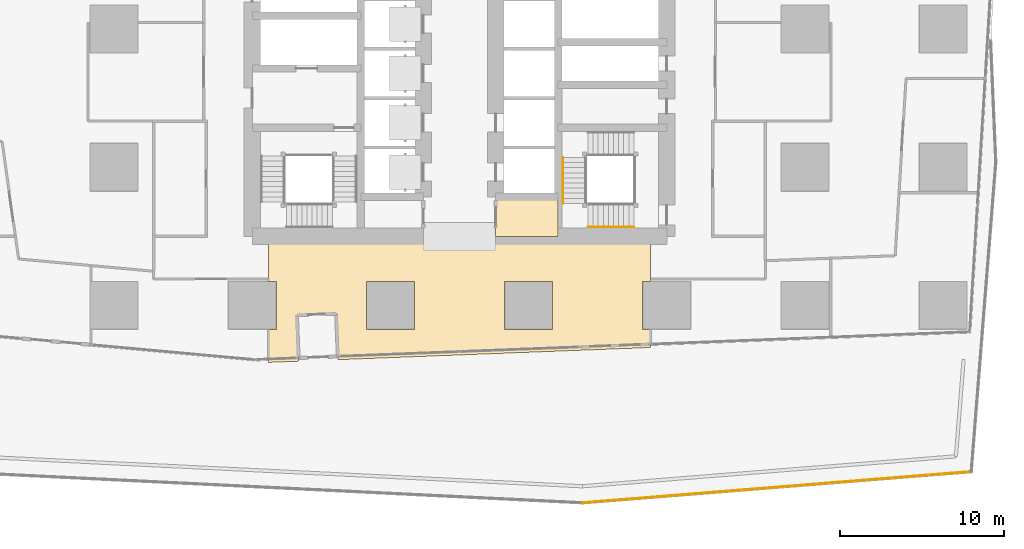
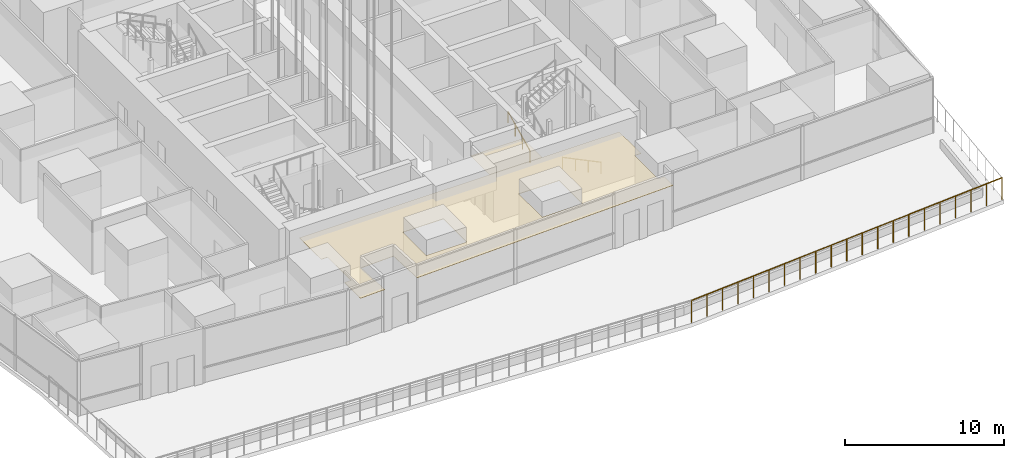
# One storey, part 25 of 44: 3 railings, 2 coverings.
"""IFC4 building model written with IfcOpenShell, lengths in metres."""

from ifc_helpers import new_model, si_unit, direction, frame, origin, origin_2d, place, context, subcontext, project, spatial, polyline, circle, outline, extrude, material, layer, layer_set, type_object, element, save


model = new_model("IFC4")

# Units and contexts
model_context = context("Model", 3, precision=1e-05, world=origin(), true_north=direction((0.0, 1.0)))
body_context = subcontext(model_context, "Body", "Model", "MODEL_VIEW")
ifc_project = project(units=[si_unit("LENGTHUNIT", "METRE"), si_unit("AREAUNIT", "SQUARE_METRE"), si_unit("VOLUMEUNIT", "CUBIC_METRE"), si_unit("PLANEANGLEUNIT", "RADIAN"), si_unit("MASSUNIT", "GRAM", prefix="KILO")], contexts=[model_context])

# Site, building, storey
site_placement = place(None, origin())
site = spatial("IfcSite", under=ifc_project, at=site_placement, CompositionType="ELEMENT")
building_placement = place(site_placement, origin())
building = spatial("IfcBuilding", under=site, at=building_placement, Name="Rekha Terrace Tower", CompositionType="ELEMENT")
storey_placement = place(building_placement, frame((0.0, 0.0, 90.800048828125)))
storey = spatial("IfcBuildingStorey", under=building, at=storey_placement, Name="L22", CompositionType="ELEMENT", Elevation=90.800048828125)

# Coverings
ifc_material_1 = material(Name="Fibre cement board", Category="finish")
ifc_layer_1 = layer(ifc_material_1, 0.014892578125)
ifc_layer_set_1 = layer_set([ifc_layer_1], Name="Fibre cement board")
covering_type_1 = type_object("IfcCoveringType", Name="CL2 moisture-resistant board ceiling", PredefinedType="CEILING", material=ifc_layer_set_1)
covering_1_placement = place(storey_placement, frame((0.0, 0.0, 3.3349609375)))
element("IfcCovering", 1, at=covering_1_placement, inside=storey, type_object=covering_type_1, Name="Ceiling L22-WCA", PredefinedType="CEILING", context=body_context, shape_type="SweptSolid", body=[
    extrude(outline(polyline([(43.800048828125, 23.39990234375), (40.0, 23.39990234375), (40.0, 21.0), (43.800048828125, 21.0), (43.800048828125, 23.39990234375)])), origin(), (0.0, 0.0, 1.0), 0.014892578125),
])
ifc_material_2 = material(Name="Powder-coated aluminium pan", Category="aluminium")
ifc_layer_2 = layer(ifc_material_2, 0.030029296875)
ifc_layer_set_2 = layer_set([ifc_layer_2], Name="Powder-coated aluminium pan")
covering_type_2 = type_object("IfcCoveringType", Name="CL3 300x1200 metal pan ceiling", PredefinedType="CEILING", material=ifc_layer_set_2)
covering_2_placement = place(storey_placement, frame((0.0, 0.0, 3.320068359375)))
element("IfcCovering", 2, at=covering_2_placement, inside=storey, type_object=covering_type_2, Name="Ceiling L22-02", PredefinedType="CEILING", context=body_context, shape_type="SweptSolid", body=[
    extrude(outline(polyline([(26.199951171875, 15.3349609375), (26.199951171875, 13.333984375), (28.01806640625, 13.405029296875), (27.908935546875, 16.202880859375), (30.306884765625, 16.2958984375), (30.416015625, 13.498046875), (49.39990234375, 14.237060546875), (49.39990234375, 15.3349609375), (48.93505859375, 15.3349609375), (48.93505859375, 18.264892578125), (49.39990234375, 18.264892578125), (49.39990234375, 21.0), (26.199951171875, 21.0), (26.199951171875, 18.264892578125), (26.6650390625, 18.264892578125), (26.6650390625, 15.3349609375), (26.199951171875, 15.3349609375)]), holes=[polyline([(43.465087890625, 18.264892578125), (43.465087890625, 15.3349609375), (40.534912109375, 15.3349609375), (40.534912109375, 18.264892578125), (43.465087890625, 18.264892578125)]), polyline([(35.06494140625, 15.3349609375), (32.135009765625, 15.3349609375), (32.135009765625, 18.264892578125), (35.06494140625, 18.264892578125), (35.06494140625, 15.3349609375)])]), origin(), (0.0, 0.0, 1.0), 0.02978515625),
])

# Railings
ifc_material_3 = material(Name="Stainless steel posts and laminated glass infill", Category="steel")
railing_type_1 = type_object("IfcRailingType", Name="GR4 terrace glass guard 1700", PredefinedType="GUARDRAIL", material=ifc_material_3)
railing_1_placement = place(storey_placement, frame((45.286376953125, 4.80029296875, 0.0)))
element("IfcRailing", 3, at=railing_1_placement, inside=storey, type_object=railing_type_1, Name="Terrace guard", PredefinedType="GUARDRAIL", context=body_context, shape_type="SweptSolid", body=[
    extrude(circle(Radius=0.02392578125, at=origin_2d()), frame((0.0, 0.0, 1.67578125), z_axis=(0.996805443082, 0.07986807023, 0.0), x_axis=(-0.07986807023, 0.996805443082, 0.0)), (0.0, 0.0, 1.0), 23.6962890625),
    extrude(circle(Radius=0.02099609375, at=origin_2d()), origin(), (0.0, 0.0, 1.0), 1.65185546875),
    extrude(circle(Radius=0.02099609375, at=origin_2d()), frame((1.18115234375, 0.0947265625, 0.0)), (0.0, 0.0, 1.0), 1.65185546875),
    extrude(circle(Radius=0.02099609375, at=origin_2d()), frame((2.362060546875, 0.189208984375, 0.0)), (0.0, 0.0, 1.0), 1.65185546875),
    extrude(circle(Radius=0.02099609375, at=origin_2d()), frame((3.54296875, 0.283935546875, 0.0)), (0.0, 0.0, 1.0), 1.65185546875),
    extrude(circle(Radius=0.02099609375, at=origin_2d()), frame((4.72412109375, 0.37841796875, 0.0)), (0.0, 0.0, 1.0), 1.65185546875),
    extrude(circle(Radius=0.02099609375, at=origin_2d()), frame((5.9052734375, 0.47314453125, 0.0)), (0.0, 0.0, 1.0), 1.65185546875),
    extrude(circle(Radius=0.02099609375, at=origin_2d()), frame((7.086181640625, 0.56787109375, 0.0)), (0.0, 0.0, 1.0), 1.65185546875),
    extrude(circle(Radius=0.02099609375, at=origin_2d()), frame((8.26708984375, 0.662353515625, 0.0)), (0.0, 0.0, 1.0), 1.65185546875),
    extrude(circle(Radius=0.02099609375, at=origin_2d()), frame((9.4482421875, 0.757080078125, 0.0)), (0.0, 0.0, 1.0), 1.65185546875),
    extrude(circle(Radius=0.02099609375, at=origin_2d()), frame((10.62939453125, 0.8515625, 0.0)), (0.0, 0.0, 1.0), 1.65185546875),
    extrude(circle(Radius=0.02099609375, at=origin_2d()), frame((11.810302734375, 0.9462890625, 0.0)), (0.0, 0.0, 1.0), 1.65185546875),
    extrude(circle(Radius=0.02099609375, at=origin_2d()), frame((12.991455078125, 1.041015625, 0.0)), (0.0, 0.0, 1.0), 1.65185546875),
    extrude(circle(Radius=0.02099609375, at=origin_2d()), frame((14.17236328125, 1.135498046875, 0.0)), (0.0, 0.0, 1.0), 1.65185546875),
    extrude(circle(Radius=0.02099609375, at=origin_2d()), frame((15.353515625, 1.230224609375, 0.0)), (0.0, 0.0, 1.0), 1.65185546875),
    extrude(circle(Radius=0.02099609375, at=origin_2d()), frame((16.534423828125, 1.32470703125, 0.0)), (0.0, 0.0, 1.0), 1.65185546875),
    extrude(circle(Radius=0.02099609375, at=origin_2d()), frame((17.71533203125, 1.41943359375, 0.0)), (0.0, 0.0, 1.0), 1.65185546875),
    extrude(circle(Radius=0.02099609375, at=origin_2d()), frame((18.896484375, 1.51416015625, 0.0)), (0.0, 0.0, 1.0), 1.65185546875),
    extrude(circle(Radius=0.02099609375, at=origin_2d()), frame((20.07763671875, 1.608642578125, 0.0)), (0.0, 0.0, 1.0), 1.65185546875),
    extrude(circle(Radius=0.02099609375, at=origin_2d()), frame((21.258544921875, 1.703369140625, 0.0)), (0.0, 0.0, 1.0), 1.65185546875),
    extrude(circle(Radius=0.02099609375, at=origin_2d()), frame((22.439453125, 1.7978515625, 0.0)), (0.0, 0.0, 1.0), 1.65185546875),
    extrude(circle(Radius=0.02099609375, at=origin_2d()), frame((23.62060546875, 1.892578125, 0.0)), (0.0, 0.0, 1.0), 1.65185546875),
])
ifc_material_4 = material(Name="Stainless steel tube", Category="steel")
railing_type_2 = type_object("IfcRailingType", Name="HR1 900 stair handrail", PredefinedType="HANDRAIL", material=ifc_material_4)
railing_2_placement = place(storey_placement, frame((48.39990234375, 21.56005859375, 0.14990234375)))
element("IfcRailing", 4, at=railing_2_placement, inside=storey, type_object=railing_type_2, Name="Handrail ST3 L22 flight 1", PredefinedType="HANDRAIL", context=body_context, shape_type="SweptSolid", body=[
    extrude(circle(Radius=0.02392578125, at=origin_2d()), frame((0.0, 0.0, 0.8759765625), z_axis=(-0.900134342929, 0.0, 0.43561240189), x_axis=(0.0, -1.0, 0.0)), (0.0, 0.0, 1.0), 3.099365234375),
    extrude(circle(Radius=0.02099609375, at=origin_2d()), origin(), (0.0, 0.0, 1.0), 0.851806640625),
    extrude(circle(Radius=0.02099609375, at=origin_2d()), frame((-0.929931640625, 0.0, 0.449951171875)), (0.0, 0.0, 1.0), 0.851806640625),
    extrude(circle(Radius=0.02099609375, at=origin_2d()), frame((-1.85986328125, 0.0, 0.900146484375)), (0.0, 0.0, 1.0), 0.851806640625),
    extrude(circle(Radius=0.02099609375, at=origin_2d()), frame((-2.789794921875, 0.0, 1.35009765625)), (0.0, 0.0, 1.0), 0.851806640625),
])
railing_3_placement = place(storey_placement, frame((44.0849609375, 23.0, 1.64990234375)))
element("IfcRailing", 5, at=railing_3_placement, inside=storey, type_object=railing_type_2, Name="Handrail ST3 L22 flight 2", PredefinedType="HANDRAIL", context=body_context, shape_type="SweptSolid", body=[
    extrude(circle(Radius=0.02392578125, at=origin_2d()), frame((0.0, 0.0, 0.8759765625), z_axis=(0.0, 0.90014928908, 0.43558151633), x_axis=(-1.0, 0.0, 0.0)), (0.0, 0.0, 1.0), 3.099609375),
    extrude(circle(Radius=0.02099609375, at=origin_2d()), origin(), (0.0, 0.0, 1.0), 0.851806640625),
    extrude(circle(Radius=0.02099609375, at=origin_2d()), frame((0.0, 0.929931640625, 0.449951171875)), (0.0, 0.0, 1.0), 0.851806640625),
    extrude(circle(Radius=0.02099609375, at=origin_2d()), frame((0.0, 1.860107421875, 0.900146484375)), (0.0, 0.0, 1.0), 0.851806640625),
    extrude(circle(Radius=0.02099609375, at=origin_2d()), frame((0.0, 2.7900390625, 1.35009765625)), (0.0, 0.0, 1.0), 0.851806640625),
])

save(model, "model.ifc")
